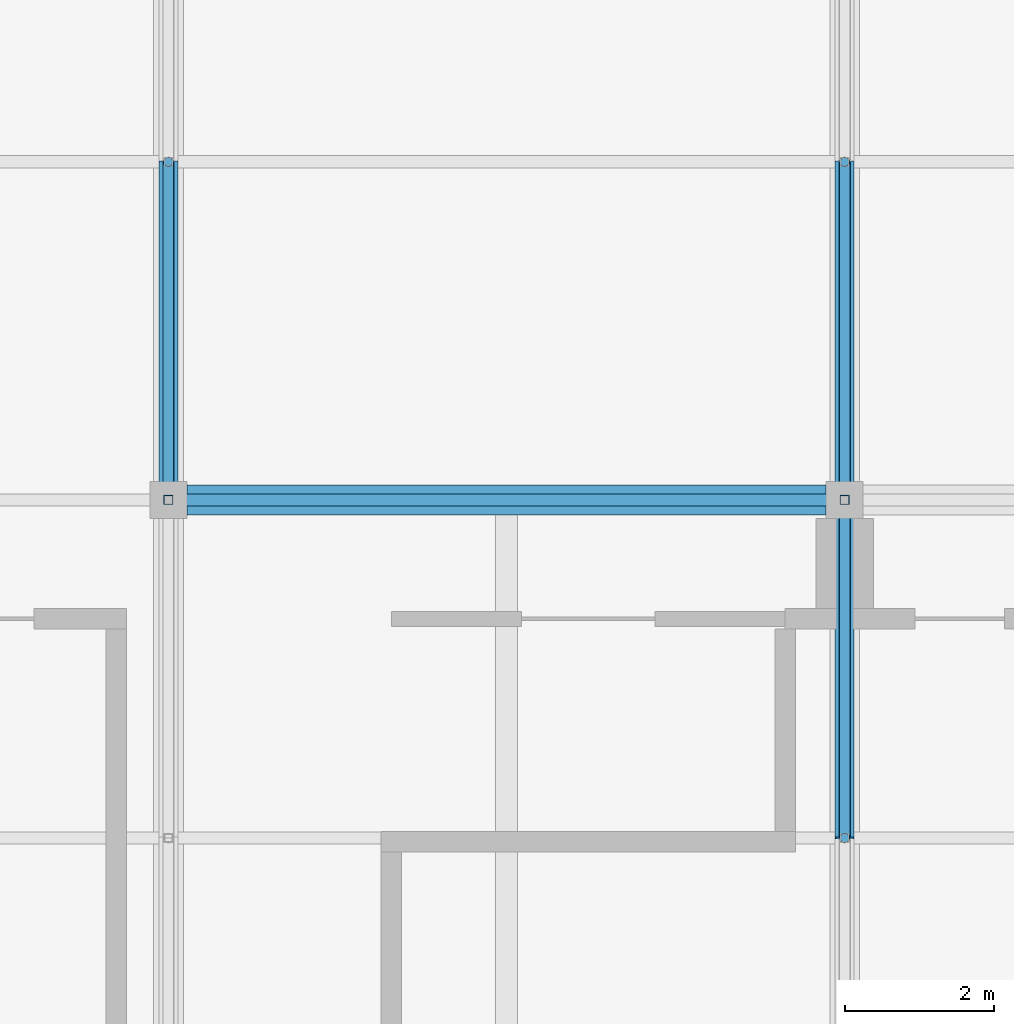
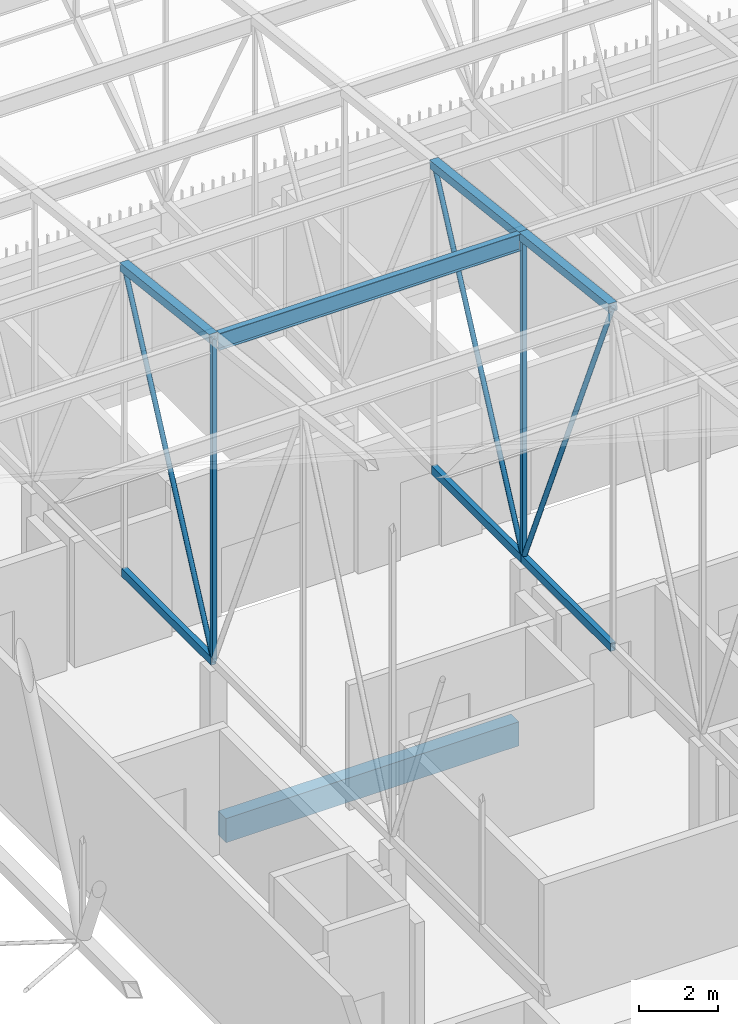
# One storey, part 314 of 500: 12 members, 1 beam.
"""IFC4 building model written with IfcOpenShell, lengths in metres."""

from ifc_helpers import new_model, si_unit, direction, frame, origin, origin_2d, place, context, subcontext, project, spatial, rectangle, hollow_rectangle, hollow_circle, i_section, extrude, material, material_profile, profile_set, type_object, element, save


model = new_model("IFC4")

# Units and contexts
model_context = context("Model", 3, precision=1e-05, world=origin(), true_north=direction((0.0, 1.0)))
body_context = subcontext(model_context, "Body", "Model", "MODEL_VIEW")
ifc_project = project(units=[si_unit("LENGTHUNIT", "METRE"), si_unit("AREAUNIT", "SQUARE_METRE"), si_unit("VOLUMEUNIT", "CUBIC_METRE"), si_unit("PLANEANGLEUNIT", "RADIAN"), si_unit("MASSUNIT", "GRAM", prefix="KILO")], contexts=[model_context])

# Site, building, storey
site_placement = place(None, origin())
site = spatial("IfcSite", under=ifc_project, at=site_placement, CompositionType="ELEMENT")
building_placement = place(site_placement, origin())
building = spatial("IfcBuilding", under=site, at=building_placement, Name="Shirokan Park Arena", CompositionType="ELEMENT")
storey_placement = place(building_placement, frame((0.0, 0.0, 29.1201171875)))
storey = spatial("IfcBuildingStorey", under=building, at=storey_placement, Name="L06", CompositionType="ELEMENT", Elevation=29.1201171875)

# Members
ifc_material_1 = material(Name="Steel ASTM A500 Grade C", Category="steel")
ifc_material_profile_1 = material_profile(ifc_material_1, hollow_rectangle(XDim=0.152099609375, YDim=0.25390625, WallThickness=0.009521484375, at=origin_2d()), Name="HSS254X152.4X9.5")
ifc_profile_set_1 = profile_set([ifc_material_profile_1], Name="Steel ASTM A500 Grade C")
member_type_1 = type_object("IfcMemberType", Name="Bottom chord HSS254X152.4X9.5", PredefinedType="CHORD", material=ifc_profile_set_1)
for number, where, z_axis, x_axis, name in (
    (1, (109.199951171875, 91.0, 4.677001953125), (0.0, 1.0, 0.0), (-1.0, 0.0, 0.0), "Truss T13 bottom chord 23"),
    (2, (118.300048828125, 86.449951171875, 4.677001953125), (0.0, 1.0, 0.0), (-1.0, 0.0, 0.0), "Truss T14 bottom chord 22"),
    (3, (118.300048828125, 91.0, 4.677001953125), (0.0, 1.0, 0.0), (-1.0, 0.0, 0.0), "Truss T14 bottom chord 23"),
):
    element("IfcMember", number, at=place(storey_placement, frame(where, z_axis=z_axis, x_axis=x_axis)), inside=storey, type_object=member_type_1, Name=name, PredefinedType="CHORD", context=body_context, shape_type="SweptSolid", body=[
        extrude(hollow_rectangle(XDim=0.152099609375, YDim=0.25390625, WallThickness=0.009521484375, at=origin_2d()), origin(), (0.0, 0.0, 1.0), 4.550048828125),
    ])
ifc_material_2 = material(Name="Steel ASTM A992", Category="steel")
ifc_material_profile_2 = material_profile(ifc_material_2, i_section(OverallWidth=0.166015625, OverallDepth=0.528076171875, WebThickness=0.009765625, FlangeThickness=0.013671875, at=origin_2d()), Name="W530X74")
ifc_profile_set_2 = profile_set([ifc_material_profile_2], Name="Steel ASTM A992")
member_type_2 = type_object("IfcMemberType", Name="Purlin W530X74", PredefinedType="PURLIN", material=ifc_profile_set_2)
member_1_placement = place(storey_placement, frame((109.326904296875, 91.0, 14.56591796875), z_axis=(1.0, 0.0, 0.0), x_axis=(0.0, 1.0, 0.0)))
element("IfcMember", 4, at=member_1_placement, inside=storey, type_object=member_type_2, Name="Purlin 23 bay 13", PredefinedType="PURLIN", context=body_context, shape_type="SweptSolid", body=[
    extrude(i_section(OverallWidth=0.166015625, OverallDepth=0.528076171875, WebThickness=0.009765625, FlangeThickness=0.013671875, at=origin_2d()), origin(), (0.0, 0.0, 1.0), 8.84619140625),
])

# Beam
ifc_material_3 = material(Name="Concrete C35", Category="concrete")
ifc_material_profile_3 = material_profile(ifc_material_3, rectangle(XDim=0.39990234375, YDim=0.75, at=origin_2d()), Name="400x750")
ifc_profile_set_3 = profile_set([ifc_material_profile_3], Name="Concrete C35")
beam_type = type_object("IfcBeamType", Name="RC girder 400x750", PredefinedType="BEAM", material=ifc_profile_set_3)
beam_placement = place(storey_placement, frame((109.4501953125, 91.0, -0.5751953125), z_axis=(1.0, 0.0, 0.0), x_axis=(0.0, 1.0, 0.0)))
element("IfcBeam", 5, at=beam_placement, inside=storey, type_object=beam_type, Name="Girder 13L-14L L06", PredefinedType="BEAM", context=body_context, shape_type="SweptSolid", body=[
    extrude(rectangle(XDim=0.39990234375, YDim=0.75, at=origin_2d()), origin(), (0.0, 0.0, 1.0), 8.599609375),
])

# Members
ifc_material_profile_4 = material_profile(ifc_material_1, hollow_rectangle(XDim=0.25390625, YDim=0.25390625, WallThickness=0.009521484375, at=origin_2d()), Name="HSS254X254X9.5")
ifc_profile_set_4 = profile_set([ifc_material_profile_4], Name="Steel ASTM A500 Grade C")
member_type_3 = type_object("IfcMemberType", Name="Top chord HSS254X254X9.5", PredefinedType="CHORD", material=ifc_profile_set_4)
for number, where, z_axis, x_axis, name in (
    (6, (109.199951171875, 91.0, 14.702880859375), (0.0, 0.993532328996, -0.113549598152), (-1.0, 0.0, 0.0), "Truss T13 top chord 23"),
    (7, (118.300048828125, 86.449951171875, 15.222900390625), (0.0, 0.993532328996, -0.113549598152), (-1.0, 0.0, 0.0), "Truss T14 top chord 22"),
    (8, (118.300048828125, 91.0, 14.702880859375), (0.0, 0.993532328996, -0.113549598152), (-1.0, 0.0, 0.0), "Truss T14 top chord 23"),
):
    element("IfcMember", number, at=place(storey_placement, frame(where, z_axis=z_axis, x_axis=x_axis)), inside=storey, type_object=member_type_3, Name=name, PredefinedType="CHORD", context=body_context, shape_type="SweptSolid", body=[
        extrude(hollow_rectangle(XDim=0.25390625, YDim=0.25390625, WallThickness=0.009521484375, at=origin_2d()), origin(), (0.0, 0.0, 1.0), 4.57958984375),
    ])
ifc_material_profile_5 = material_profile(ifc_material_1, hollow_circle(Radius=0.070556640625, WallThickness=0.006591796875, at=origin_2d()), Name="HSS141.3X6.6")
ifc_profile_set_5 = profile_set([ifc_material_profile_5], Name="Steel ASTM A500 Grade C")
member_type_4 = type_object("IfcMemberType", Name="Truss diagonal HSS141.3X6.6", PredefinedType="BRACE", material=ifc_profile_set_5)
member_2_placement = place(storey_placement, frame((109.199951171875, 91.0, 4.677001953125), z_axis=(0.0, 0.431746476626, 0.901994999942), x_axis=(-1.0, 0.0, 0.0)))
element("IfcMember", 9, at=member_2_placement, inside=storey, type_object=member_type_4, Name="Truss T13 diagonal 23", PredefinedType="BRACE", context=body_context, shape_type="SweptSolid", body=[
    extrude(hollow_circle(Radius=0.070556640625, WallThickness=0.006591796875, at=origin_2d()), origin(), (0.0, 0.0, 1.0), 10.538818359375),
])
member_3_placement = place(storey_placement, frame((118.300048828125, 86.449951171875, 15.222900390625), z_axis=(0.0, 0.396152605513, -0.918184683572), x_axis=(-1.0, 0.0, 0.0)))
element("IfcMember", 10, at=member_3_placement, inside=storey, type_object=member_type_4, Name="Truss T14 diagonal 22", PredefinedType="BRACE", context=body_context, shape_type="SweptSolid", body=[
    extrude(hollow_circle(Radius=0.070556640625, WallThickness=0.006591796875, at=origin_2d()), origin(), (0.0, 0.0, 1.0), 11.485595703125),
])
member_4_placement = place(storey_placement, frame((118.300048828125, 91.0, 4.677001953125), z_axis=(0.0, 0.431746476626, 0.901994999942), x_axis=(-1.0, 0.0, 0.0)))
element("IfcMember", 11, at=member_4_placement, inside=storey, type_object=member_type_4, Name="Truss T14 diagonal 23", PredefinedType="BRACE", context=body_context, shape_type="SweptSolid", body=[
    extrude(hollow_circle(Radius=0.070556640625, WallThickness=0.006591796875, at=origin_2d()), origin(), (0.0, 0.0, 1.0), 10.538818359375),
])
ifc_material_profile_6 = material_profile(ifc_material_1, hollow_rectangle(XDim=0.126953125, YDim=0.126953125, WallThickness=0.008056640625, at=origin_2d()), Name="HSS127X127X7.9")
ifc_profile_set_6 = profile_set([ifc_material_profile_6], Name="Steel ASTM A500 Grade C")
member_type_5 = type_object("IfcMemberType", Name="Truss post HSS127X127X7.9", PredefinedType="POST", material=ifc_profile_set_6)
for number, where, z_axis, x_axis, name in (
    (12, (109.199951171875, 91.0, 4.677001953125), (0.0, 0.0, 1.0), (1.0, 0.0, 0.0), "Truss T13 post 23"),
    (13, (118.300048828125, 91.0, 4.677001953125), (0.0, 0.0, 1.0), (1.0, 0.0, 0.0), "Truss T14 post 23"),
):
    element("IfcMember", number, at=place(storey_placement, frame(where, z_axis=z_axis, x_axis=x_axis)), inside=storey, type_object=member_type_5, Name=name, PredefinedType="POST", context=body_context, shape_type="SweptSolid", body=[
        extrude(hollow_rectangle(XDim=0.126953125, YDim=0.126953125, WallThickness=0.008056640625, at=origin_2d()), origin(), (0.0, 0.0, 1.0), 10.02587890625),
    ])

save(model, "model.ifc")
